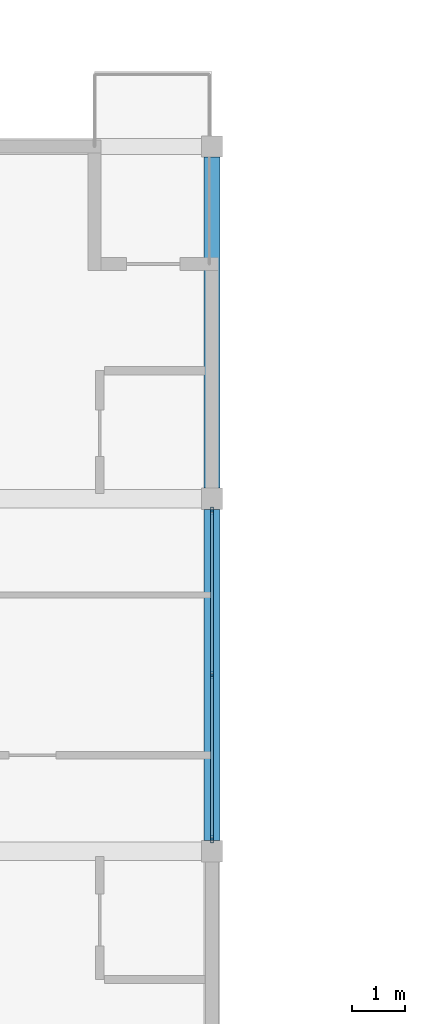
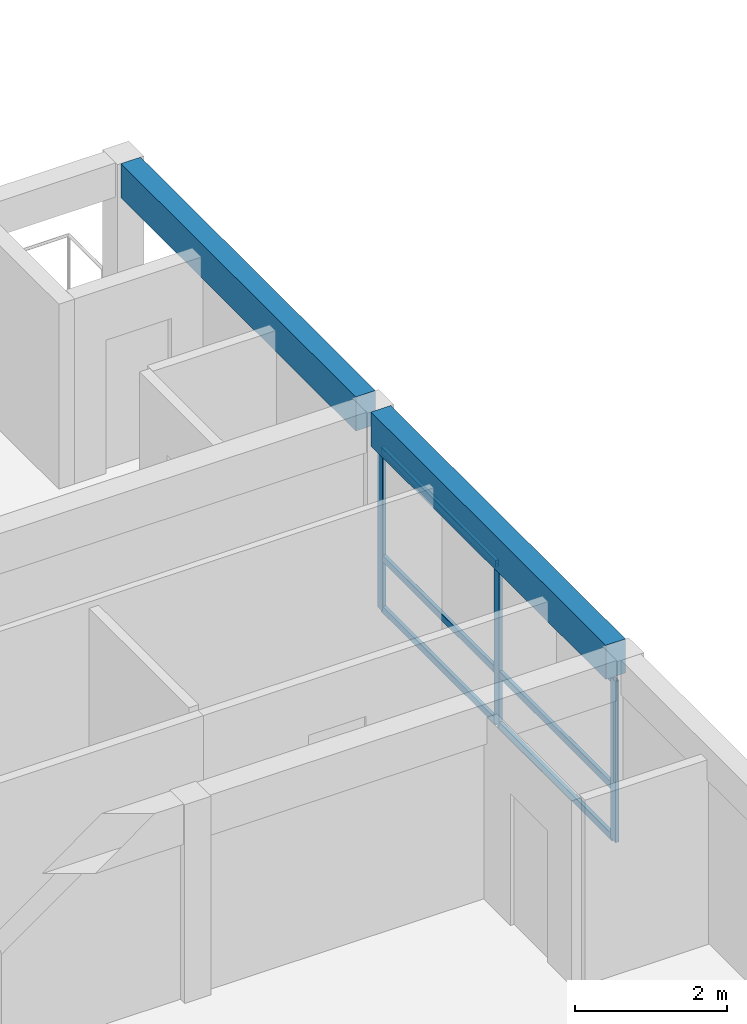
# One storey, part 6 of 23: 9 members, 2 beams, 1 element without a shape of its own.
"""IFC4 building model written with IfcOpenShell, lengths in metres."""

import ifcopenshell
import ifcopenshell.guid

model = None  # the IFC model being written
_history = None  # IfcOwnerHistory: only IFC2X3 demands one
_inside = {}  # id of a spatial element -> (the spatial element, [elements in it])
_under = {}  # id of a project, library or spatial element -> (it, [spatial elements below it])
_declared = {}  # id of a project -> (the project, [libraries it declares])
_typed = {}  # id of a type object -> (the type object, [elements of that type])
_made_of = {}  # id of a material, layer set ... -> (it, [elements and type objects made of it])


def new_model(schema):
    """Start an empty IFC model of exactly this schema.

    Asked for "IFC4X3", IfcOpenShell would pick the latest addendum, in which some entities
    have other attributes; the version numbers below select the first issue.
    IFC2X3 requires an IfcOwnerHistory on every rooted entity: one is made here for all.
    """
    global model, _history
    if schema == "IFC4X3":
        model = ifcopenshell.file(schema_version=(4, 3, 0, 0))
    else:
        model = ifcopenshell.file(schema=schema)
    _inside.clear()
    _under.clear()
    _declared.clear()
    _typed.clear()
    _made_of.clear()
    _history = None
    if model.schema == "IFC2X3":
        org = make("IfcOrganization", Name="unknown")
        user = make(
            "IfcPersonAndOrganization",
            ThePerson=make("IfcPerson", FamilyName="unknown"),
            TheOrganization=org,
        )
        app = make(
            "IfcApplication",
            ApplicationDeveloper=org,
            Version="unknown",
            ApplicationFullName="unknown",
            ApplicationIdentifier="unknown",
        )
        _history = make(
            "IfcOwnerHistory",
            OwningUser=user,
            OwningApplication=app,
            ChangeAction="ADDED",
            CreationDate=0,
        )
    return model


def make(cls, **values):
    """One entity of the class cls with the attributes given. An attribute that is None is left unset."""
    return model.create_entity(
        cls, **{name: value for name, value in values.items() if value is not None}
    )


def rooted(cls, **values):
    """An entity with a GlobalId (a new one), such as an element, a storey or a relation."""
    return make(cls, GlobalId=ifcopenshell.guid.new(), OwnerHistory=_history, **values)


def si_unit(unit_type, name, prefix=None):
    """IfcSIUnit, for example si_unit("LENGTHUNIT", "METRE", prefix="MILLI")."""
    return make("IfcSIUnit", UnitType=unit_type, Prefix=prefix, Name=name)


def assignment(units):
    """IfcUnitAssignment: the units of a project."""
    return None if units is None else make("IfcUnitAssignment", Units=units)


def point(xyz):
    """IfcCartesianPoint."""
    return None if xyz is None else make("IfcCartesianPoint", Coordinates=xyz)


def direction(xyz):
    """IfcDirection."""
    return None if xyz is None else make("IfcDirection", DirectionRatios=xyz)


def frame(location, z_axis=None, x_axis=None):
    """IfcAxis2Placement3D, a coordinate frame: its origin and axes. An axis left out is left unset."""
    return make(
        "IfcAxis2Placement3D",
        Location=point(location),
        Axis=direction(z_axis),
        RefDirection=direction(x_axis),
    )


def frame_2d(location, x_axis=None):
    """IfcAxis2Placement2D, a coordinate frame in the plane: its origin and x axis."""
    return make(
        "IfcAxis2Placement2D", Location=point(location), RefDirection=direction(x_axis)
    )


def origin():
    """The frame at (0, 0, 0) with its axes left unset."""
    return frame((0.0, 0.0, 0.0))


def origin_2d():
    """The frame at (0, 0) in the plane with its x axis left unset."""
    return frame_2d((0.0, 0.0))


def place(relative_to, where):
    """IfcLocalPlacement: puts the frame where relative to a parent placement (None: the world)."""
    return make(
        "IfcLocalPlacement", PlacementRelTo=relative_to, RelativePlacement=where
    )


def context(
    kind, dimensions, precision=None, world=None, true_north=None, identifier=None
):
    """IfcGeometricRepresentationContext, for example the 3D "Model" context."""
    return make(
        "IfcGeometricRepresentationContext",
        ContextIdentifier=identifier,
        ContextType=kind,
        CoordinateSpaceDimension=dimensions,
        Precision=precision,
        WorldCoordinateSystem=world,
        TrueNorth=true_north,
    )


def subcontext(parent, identifier, kind, view, scale=None):
    """IfcGeometricRepresentationSubContext, for example "Body" below "Model"."""
    return make(
        "IfcGeometricRepresentationSubContext",
        ContextIdentifier=identifier,
        ContextType=kind,
        ParentContext=parent,
        TargetScale=scale,
        TargetView=view,
    )


def project(units=None, contexts=None):
    """IfcProject with its units and contexts."""
    return rooted(
        "IfcProject",
        Name="project",
        RepresentationContexts=contexts,
        UnitsInContext=assignment(units),
    )


def spatial(cls, under=None, at=None, **own):
    """A site, building, storey or space (cls), placed at a placement, below another one or the project."""
    s = rooted(cls, ObjectPlacement=at, **own)
    if under is not None:
        _under.setdefault(under.id(), (under, []))[1].append(s)
    return s


def profile(cls, at=None, kind="AREA", **sizes):
    """A parametric profile (cls). Its sizes go by their IFC names, for example OverallWidth=200.0."""
    return make(cls, ProfileType=kind, Position=at, **sizes)


def rectangle(**sizes):
    """IfcRectangleProfileDef."""
    return profile("IfcRectangleProfileDef", **sizes)


def hollow_rectangle(**sizes):
    """IfcRectangleHollowProfileDef."""
    return profile("IfcRectangleHollowProfileDef", **sizes)


def extrude(swept, where, along, depth):
    """IfcExtrudedAreaSolid: the profile swept, set in the frame where, extruded along a direction by depth."""
    return make(
        "IfcExtrudedAreaSolid",
        SweptArea=swept,
        Position=where,
        ExtrudedDirection=direction(along),
        Depth=depth,
    )


def shape(context_of_items, identifier, shape_type, items):
    """IfcShapeRepresentation: the items that make up one representation, for example the "Body"."""
    return make(
        "IfcShapeRepresentation",
        ContextOfItems=context_of_items,
        RepresentationIdentifier=identifier,
        RepresentationType=shape_type,
        Items=items,
    )


def material(Name=None, Category=None):
    """IfcMaterial."""
    return make("IfcMaterial", Name=Name, Category=Category)


def material_profile(
    of_material, cross_section, Name=None, Category=None, Priority=None
):
    """IfcMaterialProfile: a cross section and its material."""
    return make(
        "IfcMaterialProfile",
        Name=Name,
        Material=of_material,
        Profile=cross_section,
        Priority=Priority,
        Category=Category,
    )


def profile_set(profiles, Name=None, composite=None):
    """IfcMaterialProfileSet."""
    return make(
        "IfcMaterialProfileSet",
        Name=Name,
        MaterialProfiles=profiles,
        CompositeProfile=composite,
    )


def made_of(thing, what):
    """Note that an element or type object is made of a material, layer set ...; save() writes the relation."""
    if what is not None:
        _made_of.setdefault(what.id(), (what, []))[1].append(thing)
    return thing


def type_object(cls, material=None, **own):
    """A type object (cls), such as IfcWallType, which elements share."""
    return made_of(rooted(cls, **own), material)


def element(
    cls,
    number,
    at=None,
    inside=None,
    cuts=None,
    type_object=None,
    material=None,
    context=None,
    identifier="Body",
    shape_type=None,
    held_by="IfcProductDefinitionShape",
    body=None,
    shapes=None,
    **own,
):
    """One element of the class cls, such as IfcWall. Its Tag is "e" and its number.

    at: its placement. inside: the storey or other place that contains it. cuts: it is an
    opening in that element (IfcRelVoidsElement). A single representation is given by context,
    identifier, shape_type and body (its items); several are given by shapes. held_by: the class
    of the entity that holds the representations. save() writes the other relations.
    """
    e = rooted(cls, Tag="e%d" % number, ObjectPlacement=at, **own)
    if body is not None:
        shapes = [shape(context, identifier, shape_type, body)]
    if shapes is not None:
        e.Representation = make(held_by, Representations=shapes)
    if inside is not None:
        _inside.setdefault(inside.id(), (inside, []))[1].append(e)
    if cuts is not None:
        rooted(
            "IfcRelVoidsElement", RelatingBuildingElement=cuts, RelatedOpeningElement=e
        )
    if type_object is not None:
        _typed.setdefault(type_object.id(), (type_object, []))[1].append(e)
    return made_of(e, material)


def aggregate(whole, parts):
    """IfcRelAggregates: a whole, such as a stair, and the parts it consists of."""
    return rooted("IfcRelAggregates", RelatingObject=whole, RelatedObjects=parts)


def save(model, path):
    """Write the relations noted so far, then the file.

    IfcRelAggregates (storeys below a building ...), IfcRelContainedInSpatialStructure (elements
    in a storey), IfcRelDefinesByType, IfcRelAssociatesMaterial and IfcRelDeclares: one each for
    every whole, place, type object, material and project.
    """
    for whole, parts in _under.values():
        aggregate(whole, parts)
    for where, things in _inside.values():
        rooted(
            "IfcRelContainedInSpatialStructure",
            RelatedElements=things,
            RelatingStructure=where,
        )
    for kind, things in _typed.values():
        rooted("IfcRelDefinesByType", RelatedObjects=things, RelatingType=kind)
    for what, things in _made_of.values():
        rooted("IfcRelAssociatesMaterial", RelatedObjects=things, RelatingMaterial=what)
    for by, libraries in _declared.values():
        rooted("IfcRelDeclares", RelatingContext=by, RelatedDefinitions=libraries)
    model.write(path)


model = new_model("IFC4")

# Units and contexts
model_context = context("Model", 3, precision=1e-05, world=origin(), true_north=direction((0.0, 1.0)))
body_context = subcontext(model_context, "Body", "Model", "MODEL_VIEW")
ifc_project = project(units=[si_unit("LENGTHUNIT", "METRE"), si_unit("AREAUNIT", "SQUARE_METRE"), si_unit("VOLUMEUNIT", "CUBIC_METRE"), si_unit("PLANEANGLEUNIT", "RADIAN"), si_unit("MASSUNIT", "GRAM", prefix="KILO")], contexts=[model_context])

# Site, building, storey
site_placement = place(None, origin())
site = spatial("IfcSite", under=ifc_project, at=site_placement, CompositionType="ELEMENT")
building_placement = place(site_placement, origin())
building = spatial("IfcBuilding", under=site, at=building_placement, Name="Kernevlak Ridge Housing Community", CompositionType="ELEMENT")
storey_placement = place(building_placement, frame((0.0, 0.0, 46.800048828125)))
storey = spatial("IfcBuildingStorey", under=building, at=storey_placement, Name="L14", CompositionType="ELEMENT", Elevation=46.800048828125)

# Curtain wall, members
ifc_material_1 = material(Name="Aluminium EN AW-6060 anodised and laminated glass", Category="aluminium")
curtain_wall_type = type_object("IfcCurtainWallType", Name="CW-12", PredefinedType="NOTDEFINED", material=ifc_material_1)
curtain_wall_placement = place(storey_placement, origin())
curtain_wall = element("IfcCurtainWall", 1, at=curtain_wall_placement, inside=storey, type_object=curtain_wall_type, Name="Curtain wall CW-12 CW-L14-045", PredefinedType="NOTDEFINED")
ifc_material_2 = material(Name="Aluminium EN AW-6060 anodised", Category="aluminium")
ifc_material_profile_1 = material_profile(ifc_material_2, hollow_rectangle(XDim=0.054931640625, YDim=0.139892578125, WallThickness=0.00390625, InnerFilletRadius=0.001953125, OuterFilletRadius=0.00390625, at=origin_2d()), Name="ALU 55x140x4")
ifc_profile_set_1 = profile_set([ifc_material_profile_1], Name="Aluminium EN AW-6060 anodised")
member_type_1 = type_object("IfcMemberType", Name="MU-01", PredefinedType="MULLION", material=ifc_profile_set_1)
member_1_placement = place(storey_placement, frame((48.60009765625, 82.827392578125, 0.0), z_axis=(0.0, 0.0, 1.0), x_axis=(-1.0, 0.0, 0.0)))
member_1 = element("IfcMember", 2, at=member_1_placement, type_object=member_type_1, Name="CW-12 mullion 1", PredefinedType="MULLION", context=body_context, shape_type="SweptSolid", body=[
    extrude(hollow_rectangle(XDim=0.054931640625, YDim=0.139892578125, WallThickness=0.00390625, InnerFilletRadius=0.001953125, OuterFilletRadius=0.00390625, at=origin_2d()), origin(), (0.0, 0.0, 1.0), 2.599853515625),
])
member_2_placement = place(storey_placement, frame((48.60009765625, 85.89990234375, 0.0), z_axis=(0.0, 0.0, 1.0), x_axis=(-1.0, 0.0, 0.0)))
member_2 = element("IfcMember", 3, at=member_2_placement, type_object=member_type_1, Name="CW-12 mullion 2", PredefinedType="MULLION", context=body_context, shape_type="SweptSolid", body=[
    extrude(hollow_rectangle(XDim=0.054931640625, YDim=0.139892578125, WallThickness=0.00390625, InnerFilletRadius=0.001953125, OuterFilletRadius=0.00390625, at=origin_2d()), origin(), (0.0, 0.0, 1.0), 2.599853515625),
])
member_3_placement = place(storey_placement, frame((48.60009765625, 88.972412109375, 0.0), z_axis=(0.0, 0.0, 1.0), x_axis=(-1.0, 0.0, 0.0)))
member_3 = element("IfcMember", 4, at=member_3_placement, type_object=member_type_1, Name="CW-12 mullion 3", PredefinedType="MULLION", context=body_context, shape_type="SweptSolid", body=[
    extrude(hollow_rectangle(XDim=0.054931640625, YDim=0.139892578125, WallThickness=0.00390625, InnerFilletRadius=0.001953125, OuterFilletRadius=0.00390625, at=origin_2d()), origin(), (0.0, 0.0, 1.0), 2.599853515625),
])

# Beams
ifc_material_3 = material(Name="Concrete C35/45", Category="concrete")
ifc_material_profile_2 = material_profile(ifc_material_3, rectangle(XDim=0.300048828125, YDim=0.550048828125, at=origin_2d()), Name="RC 300x550")
ifc_profile_set_2 = profile_set([ifc_material_profile_2], Name="Concrete C35/45")
beam_type = type_object("IfcBeamType", Name="SP-01", PredefinedType="SPANDREL", material=ifc_profile_set_2)
beam_1_placement = place(storey_placement, frame((48.60009765625, 82.800048828125, 2.925048828125), z_axis=(0.0, 1.0, 0.0), x_axis=(-1.0, 0.0, 0.0)))
element("IfcBeam", 5, at=beam_1_placement, inside=storey, type_object=beam_type, Name="Beam SP-01 L14 445", PredefinedType="SPANDREL", context=body_context, shape_type="SweptSolid", body=[
    extrude(rectangle(XDim=0.300048828125, YDim=0.550048828125, at=origin_2d()), origin(), (0.0, 0.0, 1.0), 6.199951171875),
])
beam_2_placement = place(storey_placement, frame((48.60009765625, 89.39990234375, 2.925048828125), z_axis=(0.0, 1.0, 0.0), x_axis=(-1.0, 0.0, 0.0)))
element("IfcBeam", 6, at=beam_2_placement, inside=storey, type_object=beam_type, Name="Beam SP-01 L14 446", PredefinedType="SPANDREL", context=body_context, shape_type="SweptSolid", body=[
    extrude(rectangle(XDim=0.300048828125, YDim=0.550048828125, at=origin_2d()), origin(), (0.0, 0.0, 1.0), 6.2001953125),
])

# Member
ifc_material_profile_3 = material_profile(ifc_material_2, hollow_rectangle(XDim=0.054931640625, YDim=0.110107421875, WallThickness=0.00390625, InnerFilletRadius=0.001953125, OuterFilletRadius=0.00390625, at=origin_2d()), Name="ALU 55x110x4")
ifc_profile_set_3 = profile_set([ifc_material_profile_3], Name="Aluminium EN AW-6060 anodised")
member_type_2 = type_object("IfcMemberType", Name="TM-01", PredefinedType="USERDEFINED", material=ifc_profile_set_3)
member_4_placement = place(storey_placement, frame((48.60009765625, 82.85498046875, 0.02734375), z_axis=(0.0, 1.0, 0.0), x_axis=(-1.0, 0.0, 0.0)))
member_4 = element("IfcMember", 7, at=member_4_placement, type_object=member_type_2, Name="CW-12 transom 1.1", ObjectType="TRANSOM", PredefinedType="USERDEFINED", context=body_context, shape_type="SweptSolid", body=[
    extrude(hollow_rectangle(XDim=0.054931640625, YDim=0.110107421875, WallThickness=0.00390625, InnerFilletRadius=0.001953125, OuterFilletRadius=0.00390625, at=origin_2d()), origin(), (0.0, 0.0, 1.0), 3.017578125),
])

member_5_placement = place(storey_placement, frame((48.60009765625, 82.85498046875, 0.849853515625), z_axis=(0.0, 1.0, 0.0), x_axis=(-1.0, 0.0, 0.0)))
member_5 = element("IfcMember", 8, at=member_5_placement, type_object=member_type_2, Name="CW-12 transom 1.2", ObjectType="TRANSOM", PredefinedType="USERDEFINED", context=body_context, shape_type="SweptSolid", body=[
    extrude(hollow_rectangle(XDim=0.054931640625, YDim=0.110107421875, WallThickness=0.00390625, InnerFilletRadius=0.001953125, OuterFilletRadius=0.00390625, at=origin_2d()), origin(), (0.0, 0.0, 1.0), 3.017578125),
])

member_6_placement = place(storey_placement, frame((48.60009765625, 82.85498046875, 2.572509765625), z_axis=(0.0, 1.0, 0.0), x_axis=(-1.0, 0.0, 0.0)))
member_6 = element("IfcMember", 9, at=member_6_placement, type_object=member_type_2, Name="CW-12 transom 1.3", ObjectType="TRANSOM", PredefinedType="USERDEFINED", context=body_context, shape_type="SweptSolid", body=[
    extrude(hollow_rectangle(XDim=0.054931640625, YDim=0.110107421875, WallThickness=0.00390625, InnerFilletRadius=0.001953125, OuterFilletRadius=0.00390625, at=origin_2d()), origin(), (0.0, 0.0, 1.0), 3.017578125),
])

member_7_placement = place(storey_placement, frame((48.60009765625, 85.927490234375, 0.02734375), z_axis=(0.0, 1.0, 0.0), x_axis=(-1.0, 0.0, 0.0)))
member_7 = element("IfcMember", 10, at=member_7_placement, type_object=member_type_2, Name="CW-12 transom 2.1", ObjectType="TRANSOM", PredefinedType="USERDEFINED", context=body_context, shape_type="SweptSolid", body=[
    extrude(hollow_rectangle(XDim=0.054931640625, YDim=0.110107421875, WallThickness=0.00390625, InnerFilletRadius=0.001953125, OuterFilletRadius=0.00390625, at=origin_2d()), origin(), (0.0, 0.0, 1.0), 3.017578125),
])

member_8_placement = place(storey_placement, frame((48.60009765625, 85.927490234375, 0.849853515625), z_axis=(0.0, 1.0, 0.0), x_axis=(-1.0, 0.0, 0.0)))
member_8 = element("IfcMember", 11, at=member_8_placement, type_object=member_type_2, Name="CW-12 transom 2.2", ObjectType="TRANSOM", PredefinedType="USERDEFINED", context=body_context, shape_type="SweptSolid", body=[
    extrude(hollow_rectangle(XDim=0.054931640625, YDim=0.110107421875, WallThickness=0.00390625, InnerFilletRadius=0.001953125, OuterFilletRadius=0.00390625, at=origin_2d()), origin(), (0.0, 0.0, 1.0), 3.017578125),
])

member_9_placement = place(storey_placement, frame((48.60009765625, 85.927490234375, 2.572509765625), z_axis=(0.0, 1.0, 0.0), x_axis=(-1.0, 0.0, 0.0)))
member_9 = element("IfcMember", 12, at=member_9_placement, type_object=member_type_2, Name="CW-12 transom 2.3", ObjectType="TRANSOM", PredefinedType="USERDEFINED", context=body_context, shape_type="SweptSolid", body=[
    extrude(hollow_rectangle(XDim=0.054931640625, YDim=0.110107421875, WallThickness=0.00390625, InnerFilletRadius=0.001953125, OuterFilletRadius=0.00390625, at=origin_2d()), origin(), (0.0, 0.0, 1.0), 3.017578125),
])

aggregate(curtain_wall, [member_1, member_2, member_3, member_4, member_5, member_6, member_7, member_8, member_9])

save(model, "model.ifc")
